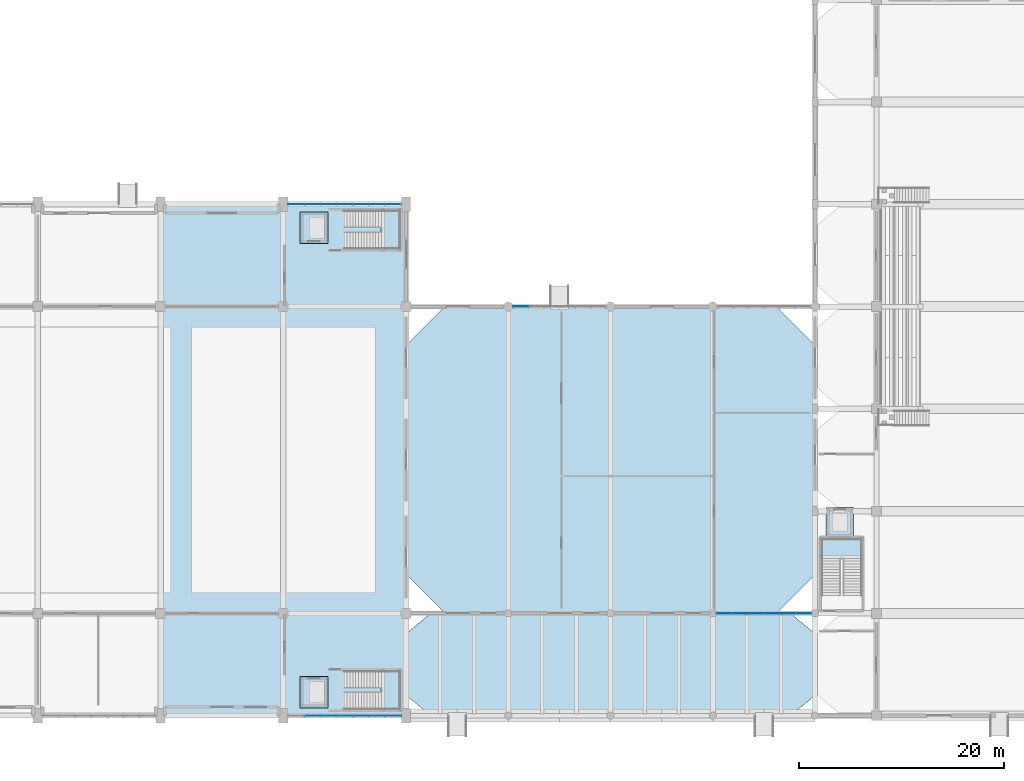
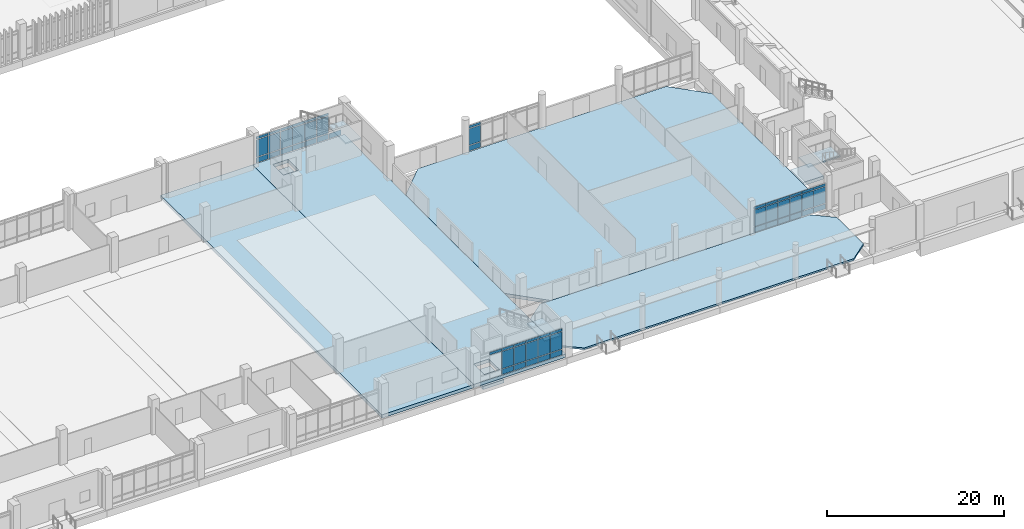
# One storey, part 62 of 87: 56 plates, 10 slabs, 7 elements without a shape of their own.
"""IFC4 building model written with IfcOpenShell, lengths in metres."""

from ifc_helpers import new_model, si_unit, direction, frame, origin, origin_2d, place, context, subcontext, project, spatial, polyline, rectangle, outline, extrude, material, layer, layer_set, type_object, element, aggregate, save


model = new_model("IFC4")

# Units and contexts
model_context = context("Model", 3, precision=1e-05, world=origin(), true_north=direction((0.0, 1.0)))
body_context = subcontext(model_context, "Body", "Model", "MODEL_VIEW")
ifc_project = project(units=[si_unit("LENGTHUNIT", "METRE"), si_unit("AREAUNIT", "SQUARE_METRE"), si_unit("VOLUMEUNIT", "CUBIC_METRE"), si_unit("PLANEANGLEUNIT", "RADIAN"), si_unit("MASSUNIT", "GRAM", prefix="KILO")], contexts=[model_context])

# Site, building, storey
site_placement = place(None, origin())
site = spatial("IfcSite", under=ifc_project, at=site_placement, CompositionType="ELEMENT")
building_placement = place(site_placement, origin())
building = spatial("IfcBuilding", under=site, at=building_placement, Name="Mersad Railyard Sports Hall", CompositionType="ELEMENT")
storey_placement = place(building_placement, origin())
storey = spatial("IfcBuildingStorey", under=building, at=storey_placement, Name="L00", CompositionType="ELEMENT", Elevation=0.0)

# Curtain wall, plates
ifc_material_1 = material(Name="Aluminium 6063-T6", Category="aluminium")
ifc_layer_1 = layer(ifc_material_1, 0.199951171875)
ifc_layer_set_1 = layer_set([ifc_layer_1], Name="Aluminium 6063-T6")
curtain_wall_type_1 = type_object("IfcCurtainWallType", Name="ARC-CW-CW01", PredefinedType="USERDEFINED", material=ifc_layer_set_1)
curtain_wall_1_placement = place(storey_placement, origin())
curtain_wall_1 = element("IfcCurtainWall", 1, at=curtain_wall_1_placement, inside=storey, type_object=curtain_wall_type_1, Name="Curtain wall CW01-0019", ObjectType="CURTAIN WALL", PredefinedType="USERDEFINED")
ifc_material_2 = material(Name="Solar-control glass", Category="glass")
ifc_layer_2 = layer(ifc_material_2, 0.028076171875)
ifc_layer_set_2 = layer_set([ifc_layer_2], Name="Solar-control glass")
plate_type = type_object("IfcPlateType", Name="ARC-CW-PNL01", PredefinedType="CURTAIN_PANEL", material=ifc_layer_set_2)
plate_1_placement = place(storey_placement, frame((89.739990234375, 3.5, 0.0849609375), z_axis=(0.0, 0.0, 1.0), x_axis=(-1.0, 0.0, 0.0)))
plate_1 = element("IfcPlate", 2, at=plate_1_placement, type_object=plate_type, Name="CW01 Glazed panel 1-1", PredefinedType="CURTAIN_PANEL", context=body_context, shape_type="SweptSolid", body=[
    extrude(rectangle(XDim=1.535888671875, YDim=0.028076171875, at=origin_2d()), origin(), (0.0, 0.0, 1.0), 0.719970703125),
])
plate_2_placement = place(storey_placement, frame((89.739990234375, 3.5, 0.89501953125), z_axis=(0.0, 0.0, 1.0), x_axis=(-1.0, 0.0, 0.0)))
plate_2 = element("IfcPlate", 3, at=plate_2_placement, type_object=plate_type, Name="CW01 Glazed panel 1-2", PredefinedType="CURTAIN_PANEL", context=body_context, shape_type="SweptSolid", body=[
    extrude(rectangle(XDim=1.535888671875, YDim=0.028076171875, at=origin_2d()), origin(), (0.0, 0.0, 1.0), 2.360107421875),
])
plate_3_placement = place(storey_placement, frame((89.739990234375, 3.5, 3.344970703125), z_axis=(0.0, 0.0, 1.0), x_axis=(-1.0, 0.0, 0.0)))
plate_3 = element("IfcPlate", 4, at=plate_3_placement, type_object=plate_type, Name="CW01 Glazed panel 1-3", PredefinedType="CURTAIN_PANEL", context=body_context, shape_type="SweptSolid", body=[
    extrude(rectangle(XDim=1.535888671875, YDim=0.028076171875, at=origin_2d()), origin(), (0.0, 0.0, 1.0), 0.35009765625),
])
plate_4_placement = place(storey_placement, frame((88.159912109375, 3.5, 0.0849609375), z_axis=(0.0, 0.0, 1.0), x_axis=(-1.0, 0.0, 0.0)))
plate_4 = element("IfcPlate", 5, at=plate_4_placement, type_object=plate_type, Name="CW01 Glazed panel 2-1", PredefinedType="CURTAIN_PANEL", context=body_context, shape_type="SweptSolid", body=[
    extrude(rectangle(XDim=1.535888671875, YDim=0.028076171875, at=origin_2d()), origin(), (0.0, 0.0, 1.0), 0.719970703125),
])
plate_5_placement = place(storey_placement, frame((88.159912109375, 3.5, 0.89501953125), z_axis=(0.0, 0.0, 1.0), x_axis=(-1.0, 0.0, 0.0)))
plate_5 = element("IfcPlate", 6, at=plate_5_placement, type_object=plate_type, Name="CW01 Glazed panel 2-2", PredefinedType="CURTAIN_PANEL", context=body_context, shape_type="SweptSolid", body=[
    extrude(rectangle(XDim=1.535888671875, YDim=0.028076171875, at=origin_2d()), origin(), (0.0, 0.0, 1.0), 2.360107421875),
])
plate_6_placement = place(storey_placement, frame((88.159912109375, 3.5, 3.344970703125), z_axis=(0.0, 0.0, 1.0), x_axis=(-1.0, 0.0, 0.0)))
plate_6 = element("IfcPlate", 7, at=plate_6_placement, type_object=plate_type, Name="CW01 Glazed panel 2-3", PredefinedType="CURTAIN_PANEL", context=body_context, shape_type="SweptSolid", body=[
    extrude(rectangle(XDim=1.535888671875, YDim=0.028076171875, at=origin_2d()), origin(), (0.0, 0.0, 1.0), 0.35009765625),
])
plate_7_placement = place(storey_placement, frame((86.580078125, 3.5, 0.0849609375), z_axis=(0.0, 0.0, 1.0), x_axis=(-1.0, 0.0, 0.0)))
plate_7 = element("IfcPlate", 8, at=plate_7_placement, type_object=plate_type, Name="CW01 Glazed panel 3-1", PredefinedType="CURTAIN_PANEL", context=body_context, shape_type="SweptSolid", body=[
    extrude(rectangle(XDim=1.535888671875, YDim=0.028076171875, at=origin_2d()), origin(), (0.0, 0.0, 1.0), 0.719970703125),
])
plate_8_placement = place(storey_placement, frame((86.580078125, 3.5, 0.89501953125), z_axis=(0.0, 0.0, 1.0), x_axis=(-1.0, 0.0, 0.0)))
plate_8 = element("IfcPlate", 9, at=plate_8_placement, type_object=plate_type, Name="CW01 Glazed panel 3-2", PredefinedType="CURTAIN_PANEL", context=body_context, shape_type="SweptSolid", body=[
    extrude(rectangle(XDim=1.535888671875, YDim=0.028076171875, at=origin_2d()), origin(), (0.0, 0.0, 1.0), 2.360107421875),
])
plate_9_placement = place(storey_placement, frame((86.580078125, 3.5, 3.344970703125), z_axis=(0.0, 0.0, 1.0), x_axis=(-1.0, 0.0, 0.0)))
plate_9 = element("IfcPlate", 10, at=plate_9_placement, type_object=plate_type, Name="CW01 Glazed panel 3-3", PredefinedType="CURTAIN_PANEL", context=body_context, shape_type="SweptSolid", body=[
    extrude(rectangle(XDim=1.535888671875, YDim=0.028076171875, at=origin_2d()), origin(), (0.0, 0.0, 1.0), 0.35009765625),
])
plate_10_placement = place(storey_placement, frame((85.0, 3.5, 0.0849609375), z_axis=(0.0, 0.0, 1.0), x_axis=(-1.0, 0.0, 0.0)))
plate_10 = element("IfcPlate", 11, at=plate_10_placement, type_object=plate_type, Name="CW01 Glazed panel 4-1", PredefinedType="CURTAIN_PANEL", context=body_context, shape_type="SweptSolid", body=[
    extrude(rectangle(XDim=1.535888671875, YDim=0.028076171875, at=origin_2d()), origin(), (0.0, 0.0, 1.0), 0.719970703125),
])
plate_11_placement = place(storey_placement, frame((85.0, 3.5, 0.89501953125), z_axis=(0.0, 0.0, 1.0), x_axis=(-1.0, 0.0, 0.0)))
plate_11 = element("IfcPlate", 12, at=plate_11_placement, type_object=plate_type, Name="CW01 Glazed panel 4-2", PredefinedType="CURTAIN_PANEL", context=body_context, shape_type="SweptSolid", body=[
    extrude(rectangle(XDim=1.535888671875, YDim=0.028076171875, at=origin_2d()), origin(), (0.0, 0.0, 1.0), 2.360107421875),
])
plate_12_placement = place(storey_placement, frame((85.0, 3.5, 3.344970703125), z_axis=(0.0, 0.0, 1.0), x_axis=(-1.0, 0.0, 0.0)))
plate_12 = element("IfcPlate", 13, at=plate_12_placement, type_object=plate_type, Name="CW01 Glazed panel 4-3", PredefinedType="CURTAIN_PANEL", context=body_context, shape_type="SweptSolid", body=[
    extrude(rectangle(XDim=1.535888671875, YDim=0.028076171875, at=origin_2d()), origin(), (0.0, 0.0, 1.0), 0.35009765625),
])
plate_13_placement = place(storey_placement, frame((83.419921875, 3.5, 0.0849609375), z_axis=(0.0, 0.0, 1.0), x_axis=(-1.0, 0.0, 0.0)))
plate_13 = element("IfcPlate", 14, at=plate_13_placement, type_object=plate_type, Name="CW01 Glazed panel 5-1", PredefinedType="CURTAIN_PANEL", context=body_context, shape_type="SweptSolid", body=[
    extrude(rectangle(XDim=1.535888671875, YDim=0.028076171875, at=origin_2d()), origin(), (0.0, 0.0, 1.0), 0.719970703125),
])
plate_14_placement = place(storey_placement, frame((83.419921875, 3.5, 0.89501953125), z_axis=(0.0, 0.0, 1.0), x_axis=(-1.0, 0.0, 0.0)))
plate_14 = element("IfcPlate", 15, at=plate_14_placement, type_object=plate_type, Name="CW01 Glazed panel 5-2", PredefinedType="CURTAIN_PANEL", context=body_context, shape_type="SweptSolid", body=[
    extrude(rectangle(XDim=1.535888671875, YDim=0.028076171875, at=origin_2d()), origin(), (0.0, 0.0, 1.0), 2.360107421875),
])
plate_15_placement = place(storey_placement, frame((83.419921875, 3.5, 3.344970703125), z_axis=(0.0, 0.0, 1.0), x_axis=(-1.0, 0.0, 0.0)))
plate_15 = element("IfcPlate", 16, at=plate_15_placement, type_object=plate_type, Name="CW01 Glazed panel 5-3", PredefinedType="CURTAIN_PANEL", context=body_context, shape_type="SweptSolid", body=[
    extrude(rectangle(XDim=1.535888671875, YDim=0.028076171875, at=origin_2d()), origin(), (0.0, 0.0, 1.0), 0.35009765625),
])
plate_16_placement = place(storey_placement, frame((81.840087890625, 3.5, 3.344970703125), z_axis=(0.0, 0.0, 1.0), x_axis=(-1.0, 0.0, 0.0)))
plate_16 = element("IfcPlate", 17, at=plate_16_placement, type_object=plate_type, Name="CW01 Glazed panel 6-3", PredefinedType="CURTAIN_PANEL", context=body_context, shape_type="SweptSolid", body=[
    extrude(rectangle(XDim=1.535888671875, YDim=0.028076171875, at=origin_2d()), origin(), (0.0, 0.0, 1.0), 0.35009765625),
])
aggregate(curtain_wall_1, [plate_1, plate_2, plate_3, plate_4, plate_5, plate_6, plate_7, plate_8, plate_9, plate_10, plate_11, plate_12, plate_13, plate_14, plate_15, plate_16])

curtain_wall_2_placement = place(storey_placement, origin())
curtain_wall_2 = element("IfcCurtainWall", 18, at=curtain_wall_2_placement, inside=storey, type_object=curtain_wall_type_1, Name="Curtain wall CW01-0021", ObjectType="CURTAIN WALL", PredefinedType="USERDEFINED")
plate_17_placement = place(storey_placement, frame((80.260009765625, 53.5, 0.0849609375), z_axis=(0.0, 0.0, 1.0), x_axis=(1.0, 0.0, 0.0)))
plate_17 = element("IfcPlate", 19, at=plate_17_placement, type_object=plate_type, Name="CW01 Glazed panel 1-1", PredefinedType="CURTAIN_PANEL", context=body_context, shape_type="SweptSolid", body=[
    extrude(rectangle(XDim=1.535888671875, YDim=0.028076171875, at=origin_2d()), origin(), (0.0, 0.0, 1.0), 0.719970703125),
])
plate_18_placement = place(storey_placement, frame((80.260009765625, 53.5, 0.89501953125), z_axis=(0.0, 0.0, 1.0), x_axis=(1.0, 0.0, 0.0)))
plate_18 = element("IfcPlate", 20, at=plate_18_placement, type_object=plate_type, Name="CW01 Glazed panel 1-2", PredefinedType="CURTAIN_PANEL", context=body_context, shape_type="SweptSolid", body=[
    extrude(rectangle(XDim=1.535888671875, YDim=0.028076171875, at=origin_2d()), origin(), (0.0, 0.0, 1.0), 2.360107421875),
])
plate_19_placement = place(storey_placement, frame((80.260009765625, 53.5, 3.344970703125), z_axis=(0.0, 0.0, 1.0), x_axis=(1.0, 0.0, 0.0)))
plate_19 = element("IfcPlate", 21, at=plate_19_placement, type_object=plate_type, Name="CW01 Glazed panel 1-3", PredefinedType="CURTAIN_PANEL", context=body_context, shape_type="SweptSolid", body=[
    extrude(rectangle(XDim=1.535888671875, YDim=0.028076171875, at=origin_2d()), origin(), (0.0, 0.0, 1.0), 0.35009765625),
])
plate_20_placement = place(storey_placement, frame((81.840087890625, 53.5, 0.0849609375), z_axis=(0.0, 0.0, 1.0), x_axis=(1.0, 0.0, 0.0)))
plate_20 = element("IfcPlate", 22, at=plate_20_placement, type_object=plate_type, Name="CW01 Glazed panel 2-1", PredefinedType="CURTAIN_PANEL", context=body_context, shape_type="SweptSolid", body=[
    extrude(rectangle(XDim=1.535888671875, YDim=0.028076171875, at=origin_2d()), origin(), (0.0, 0.0, 1.0), 0.719970703125),
])
plate_21_placement = place(storey_placement, frame((81.840087890625, 53.5, 0.89501953125), z_axis=(0.0, 0.0, 1.0), x_axis=(1.0, 0.0, 0.0)))
plate_21 = element("IfcPlate", 23, at=plate_21_placement, type_object=plate_type, Name="CW01 Glazed panel 2-2", PredefinedType="CURTAIN_PANEL", context=body_context, shape_type="SweptSolid", body=[
    extrude(rectangle(XDim=1.535888671875, YDim=0.028076171875, at=origin_2d()), origin(), (0.0, 0.0, 1.0), 2.360107421875),
])
plate_22_placement = place(storey_placement, frame((81.840087890625, 53.5, 3.344970703125), z_axis=(0.0, 0.0, 1.0), x_axis=(1.0, 0.0, 0.0)))
plate_22 = element("IfcPlate", 24, at=plate_22_placement, type_object=plate_type, Name="CW01 Glazed panel 2-3", PredefinedType="CURTAIN_PANEL", context=body_context, shape_type="SweptSolid", body=[
    extrude(rectangle(XDim=1.535888671875, YDim=0.028076171875, at=origin_2d()), origin(), (0.0, 0.0, 1.0), 0.35009765625),
])
plate_23_placement = place(storey_placement, frame((83.419921875, 53.5, 0.0849609375), z_axis=(0.0, 0.0, 1.0), x_axis=(1.0, 0.0, 0.0)))
plate_23 = element("IfcPlate", 25, at=plate_23_placement, type_object=plate_type, Name="CW01 Glazed panel 3-1", PredefinedType="CURTAIN_PANEL", context=body_context, shape_type="SweptSolid", body=[
    extrude(rectangle(XDim=1.535888671875, YDim=0.028076171875, at=origin_2d()), origin(), (0.0, 0.0, 1.0), 0.719970703125),
])
plate_24_placement = place(storey_placement, frame((83.419921875, 53.5, 0.89501953125), z_axis=(0.0, 0.0, 1.0), x_axis=(1.0, 0.0, 0.0)))
plate_24 = element("IfcPlate", 26, at=plate_24_placement, type_object=plate_type, Name="CW01 Glazed panel 3-2", PredefinedType="CURTAIN_PANEL", context=body_context, shape_type="SweptSolid", body=[
    extrude(rectangle(XDim=1.535888671875, YDim=0.028076171875, at=origin_2d()), origin(), (0.0, 0.0, 1.0), 2.360107421875),
])
plate_25_placement = place(storey_placement, frame((83.419921875, 53.5, 3.344970703125), z_axis=(0.0, 0.0, 1.0), x_axis=(1.0, 0.0, 0.0)))
plate_25 = element("IfcPlate", 27, at=plate_25_placement, type_object=plate_type, Name="CW01 Glazed panel 3-3", PredefinedType="CURTAIN_PANEL", context=body_context, shape_type="SweptSolid", body=[
    extrude(rectangle(XDim=1.535888671875, YDim=0.028076171875, at=origin_2d()), origin(), (0.0, 0.0, 1.0), 0.35009765625),
])
plate_26_placement = place(storey_placement, frame((85.0, 53.5, 0.0849609375), z_axis=(0.0, 0.0, 1.0), x_axis=(1.0, 0.0, 0.0)))
plate_26 = element("IfcPlate", 28, at=plate_26_placement, type_object=plate_type, Name="CW01 Glazed panel 4-1", PredefinedType="CURTAIN_PANEL", context=body_context, shape_type="SweptSolid", body=[
    extrude(rectangle(XDim=1.535888671875, YDim=0.028076171875, at=origin_2d()), origin(), (0.0, 0.0, 1.0), 0.719970703125),
])
plate_27_placement = place(storey_placement, frame((85.0, 53.5, 0.89501953125), z_axis=(0.0, 0.0, 1.0), x_axis=(1.0, 0.0, 0.0)))
plate_27 = element("IfcPlate", 29, at=plate_27_placement, type_object=plate_type, Name="CW01 Glazed panel 4-2", PredefinedType="CURTAIN_PANEL", context=body_context, shape_type="SweptSolid", body=[
    extrude(rectangle(XDim=1.535888671875, YDim=0.028076171875, at=origin_2d()), origin(), (0.0, 0.0, 1.0), 2.360107421875),
])
plate_28_placement = place(storey_placement, frame((85.0, 53.5, 3.344970703125), z_axis=(0.0, 0.0, 1.0), x_axis=(1.0, 0.0, 0.0)))
plate_28 = element("IfcPlate", 30, at=plate_28_placement, type_object=plate_type, Name="CW01 Glazed panel 4-3", PredefinedType="CURTAIN_PANEL", context=body_context, shape_type="SweptSolid", body=[
    extrude(rectangle(XDim=1.535888671875, YDim=0.028076171875, at=origin_2d()), origin(), (0.0, 0.0, 1.0), 0.35009765625),
])
plate_29_placement = place(storey_placement, frame((86.580078125, 53.5, 0.0849609375), z_axis=(0.0, 0.0, 1.0), x_axis=(1.0, 0.0, 0.0)))
plate_29 = element("IfcPlate", 31, at=plate_29_placement, type_object=plate_type, Name="CW01 Glazed panel 5-1", PredefinedType="CURTAIN_PANEL", context=body_context, shape_type="SweptSolid", body=[
    extrude(rectangle(XDim=1.535888671875, YDim=0.028076171875, at=origin_2d()), origin(), (0.0, 0.0, 1.0), 0.719970703125),
])
plate_30_placement = place(storey_placement, frame((86.580078125, 53.5, 0.89501953125), z_axis=(0.0, 0.0, 1.0), x_axis=(1.0, 0.0, 0.0)))
plate_30 = element("IfcPlate", 32, at=plate_30_placement, type_object=plate_type, Name="CW01 Glazed panel 5-2", PredefinedType="CURTAIN_PANEL", context=body_context, shape_type="SweptSolid", body=[
    extrude(rectangle(XDim=1.535888671875, YDim=0.028076171875, at=origin_2d()), origin(), (0.0, 0.0, 1.0), 2.360107421875),
])
plate_31_placement = place(storey_placement, frame((86.580078125, 53.5, 3.344970703125), z_axis=(0.0, 0.0, 1.0), x_axis=(1.0, 0.0, 0.0)))
plate_31 = element("IfcPlate", 33, at=plate_31_placement, type_object=plate_type, Name="CW01 Glazed panel 5-3", PredefinedType="CURTAIN_PANEL", context=body_context, shape_type="SweptSolid", body=[
    extrude(rectangle(XDim=1.535888671875, YDim=0.028076171875, at=origin_2d()), origin(), (0.0, 0.0, 1.0), 0.35009765625),
])
plate_32_placement = place(storey_placement, frame((88.159912109375, 53.5, 0.0849609375), z_axis=(0.0, 0.0, 1.0), x_axis=(1.0, 0.0, 0.0)))
plate_32 = element("IfcPlate", 34, at=plate_32_placement, type_object=plate_type, Name="CW01 Glazed panel 6-1", PredefinedType="CURTAIN_PANEL", context=body_context, shape_type="SweptSolid", body=[
    extrude(rectangle(XDim=1.535888671875, YDim=0.028076171875, at=origin_2d()), origin(), (0.0, 0.0, 1.0), 0.719970703125),
])
plate_33_placement = place(storey_placement, frame((88.159912109375, 53.5, 0.89501953125), z_axis=(0.0, 0.0, 1.0), x_axis=(1.0, 0.0, 0.0)))
plate_33 = element("IfcPlate", 35, at=plate_33_placement, type_object=plate_type, Name="CW01 Glazed panel 6-2", PredefinedType="CURTAIN_PANEL", context=body_context, shape_type="SweptSolid", body=[
    extrude(rectangle(XDim=1.535888671875, YDim=0.028076171875, at=origin_2d()), origin(), (0.0, 0.0, 1.0), 2.360107421875),
])
plate_34_placement = place(storey_placement, frame((88.159912109375, 53.5, 3.344970703125), z_axis=(0.0, 0.0, 1.0), x_axis=(1.0, 0.0, 0.0)))
plate_34 = element("IfcPlate", 36, at=plate_34_placement, type_object=plate_type, Name="CW01 Glazed panel 6-3", PredefinedType="CURTAIN_PANEL", context=body_context, shape_type="SweptSolid", body=[
    extrude(rectangle(XDim=1.535888671875, YDim=0.028076171875, at=origin_2d()), origin(), (0.0, 0.0, 1.0), 0.35009765625),
])
plate_35_placement = place(storey_placement, frame((89.739990234375, 53.5, 0.0849609375), z_axis=(0.0, 0.0, 1.0), x_axis=(1.0, 0.0, 0.0)))
plate_35 = element("IfcPlate", 37, at=plate_35_placement, type_object=plate_type, Name="CW01 Glazed panel 7-1", PredefinedType="CURTAIN_PANEL", context=body_context, shape_type="SweptSolid", body=[
    extrude(rectangle(XDim=1.535888671875, YDim=0.028076171875, at=origin_2d()), origin(), (0.0, 0.0, 1.0), 0.719970703125),
])
aggregate(curtain_wall_2, [plate_17, plate_18, plate_19, plate_20, plate_21, plate_22, plate_23, plate_24, plate_25, plate_26, plate_27, plate_28, plate_29, plate_30, plate_31, plate_32, plate_33, plate_34, plate_35])

ifc_layer_3 = layer(ifc_material_1, 0.199951171875)
ifc_layer_set_3 = layer_set([ifc_layer_3], Name="Aluminium 6063-T6")
curtain_wall_type_2 = type_object("IfcCurtainWallType", Name="ARC-CW-CW07", PredefinedType="USERDEFINED", material=ifc_layer_set_3)
curtain_wall_3_placement = place(storey_placement, origin())
curtain_wall_3 = element("IfcCurtainWall", 38, at=curtain_wall_3_placement, inside=storey, type_object=curtain_wall_type_2, Name="Curtain wall CW07-0033", ObjectType="CURTAIN WALL", PredefinedType="USERDEFINED")
plate_36_placement = place(storey_placement, frame((102.22509765625, 43.5, 0.0849609375), z_axis=(0.0, 0.0, 1.0), x_axis=(1.0, 0.0, 0.0)))
plate_36 = element("IfcPlate", 39, at=plate_36_placement, type_object=plate_type, Name="CW07 Glazed panel 1-1", PredefinedType="CURTAIN_PANEL", context=body_context, shape_type="SweptSolid", body=[
    extrude(rectangle(XDim=1.466064453125, YDim=0.028076171875, at=origin_2d()), origin(), (0.0, 0.0, 1.0), 0.719970703125),
])
plate_37_placement = place(storey_placement, frame((102.22509765625, 43.5, 0.89501953125), z_axis=(0.0, 0.0, 1.0), x_axis=(1.0, 0.0, 0.0)))
plate_37 = element("IfcPlate", 40, at=plate_37_placement, type_object=plate_type, Name="CW07 Glazed panel 1-2", PredefinedType="CURTAIN_PANEL", context=body_context, shape_type="SweptSolid", body=[
    extrude(rectangle(XDim=1.466064453125, YDim=0.028076171875, at=origin_2d()), origin(), (0.0, 0.0, 1.0), 2.260009765625),
])
plate_38_placement = place(storey_placement, frame((102.22509765625, 43.5, 3.244873046875), z_axis=(0.0, 0.0, 1.0), x_axis=(1.0, 0.0, 0.0)))
plate_38 = element("IfcPlate", 41, at=plate_38_placement, type_object=plate_type, Name="CW07 Glazed panel 1-3", PredefinedType="CURTAIN_PANEL", context=body_context, shape_type="SweptSolid", body=[
    extrude(rectangle(XDim=1.466064453125, YDim=0.028076171875, at=origin_2d()), origin(), (0.0, 0.0, 1.0), 0.35009765625),
])
aggregate(curtain_wall_3, [plate_36, plate_37, plate_38])

ifc_layer_4 = layer(ifc_material_1, 0.159912109375)
ifc_layer_set_4 = layer_set([ifc_layer_4], Name="Aluminium 6063-T6")
curtain_wall_type_3 = type_object("IfcCurtainWallType", Name="ARC-CW-CW08", PredefinedType="USERDEFINED", material=ifc_layer_set_4)
curtain_wall_4_placement = place(storey_placement, origin())
curtain_wall_4 = element("IfcCurtainWall", 42, at=curtain_wall_4_placement, inside=storey, type_object=curtain_wall_type_3, Name="Curtain wall CW08-0034", ObjectType="CURTAIN WALL", PredefinedType="USERDEFINED")
plate_39_placement = place(storey_placement, frame((129.879150390625, 13.5, 0.0849609375), z_axis=(0.0, 0.0, 1.0), x_axis=(-1.0, 0.0, 0.0)))
plate_39 = element("IfcPlate", 43, at=plate_39_placement, type_object=plate_type, Name="CW08 Glazed panel 1-1", PredefinedType="CURTAIN_PANEL", context=body_context, shape_type="SweptSolid", body=[
    extrude(rectangle(XDim=1.507568359375, YDim=0.028076171875, at=origin_2d()), origin(), (0.0, 0.0, 1.0), 0.719970703125),
])
plate_40_placement = place(storey_placement, frame((129.879150390625, 13.5, 0.89501953125), z_axis=(0.0, 0.0, 1.0), x_axis=(-1.0, 0.0, 0.0)))
plate_40 = element("IfcPlate", 44, at=plate_40_placement, type_object=plate_type, Name="CW08 Glazed panel 1-2", PredefinedType="CURTAIN_PANEL", context=body_context, shape_type="SweptSolid", body=[
    extrude(rectangle(XDim=1.507568359375, YDim=0.028076171875, at=origin_2d()), origin(), (0.0, 0.0, 1.0), 2.260009765625),
])
plate_41_placement = place(storey_placement, frame((129.879150390625, 13.5, 3.244873046875), z_axis=(0.0, 0.0, 1.0), x_axis=(-1.0, 0.0, 0.0)))
plate_41 = element("IfcPlate", 45, at=plate_41_placement, type_object=plate_type, Name="CW08 Glazed panel 1-3", PredefinedType="CURTAIN_PANEL", context=body_context, shape_type="SweptSolid", body=[
    extrude(rectangle(XDim=1.507568359375, YDim=0.028076171875, at=origin_2d()), origin(), (0.0, 0.0, 1.0), 0.35009765625),
])
plate_42_placement = place(storey_placement, frame((128.327392578125, 13.5, 0.0849609375), z_axis=(0.0, 0.0, 1.0), x_axis=(-1.0, 0.0, 0.0)))
plate_42 = element("IfcPlate", 46, at=plate_42_placement, type_object=plate_type, Name="CW08 Glazed panel 2-1", PredefinedType="CURTAIN_PANEL", context=body_context, shape_type="SweptSolid", body=[
    extrude(rectangle(XDim=1.507568359375, YDim=0.028076171875, at=origin_2d()), origin(), (0.0, 0.0, 1.0), 0.719970703125),
])
plate_43_placement = place(storey_placement, frame((128.327392578125, 13.5, 0.89501953125), z_axis=(0.0, 0.0, 1.0), x_axis=(-1.0, 0.0, 0.0)))
plate_43 = element("IfcPlate", 47, at=plate_43_placement, type_object=plate_type, Name="CW08 Glazed panel 2-2", PredefinedType="CURTAIN_PANEL", context=body_context, shape_type="SweptSolid", body=[
    extrude(rectangle(XDim=1.507568359375, YDim=0.028076171875, at=origin_2d()), origin(), (0.0, 0.0, 1.0), 2.260009765625),
])
plate_44_placement = place(storey_placement, frame((128.327392578125, 13.5, 3.244873046875), z_axis=(0.0, 0.0, 1.0), x_axis=(-1.0, 0.0, 0.0)))
plate_44 = element("IfcPlate", 48, at=plate_44_placement, type_object=plate_type, Name="CW08 Glazed panel 2-3", PredefinedType="CURTAIN_PANEL", context=body_context, shape_type="SweptSolid", body=[
    extrude(rectangle(XDim=1.507568359375, YDim=0.028076171875, at=origin_2d()), origin(), (0.0, 0.0, 1.0), 0.35009765625),
])
plate_45_placement = place(storey_placement, frame((126.77587890625, 13.5, 0.0849609375), z_axis=(0.0, 0.0, 1.0), x_axis=(-1.0, 0.0, 0.0)))
plate_45 = element("IfcPlate", 49, at=plate_45_placement, type_object=plate_type, Name="CW08 Glazed panel 3-1", PredefinedType="CURTAIN_PANEL", context=body_context, shape_type="SweptSolid", body=[
    extrude(rectangle(XDim=1.507568359375, YDim=0.028076171875, at=origin_2d()), origin(), (0.0, 0.0, 1.0), 0.719970703125),
])
plate_46_placement = place(storey_placement, frame((126.77587890625, 13.5, 0.89501953125), z_axis=(0.0, 0.0, 1.0), x_axis=(-1.0, 0.0, 0.0)))
plate_46 = element("IfcPlate", 50, at=plate_46_placement, type_object=plate_type, Name="CW08 Glazed panel 3-2", PredefinedType="CURTAIN_PANEL", context=body_context, shape_type="SweptSolid", body=[
    extrude(rectangle(XDim=1.507568359375, YDim=0.028076171875, at=origin_2d()), origin(), (0.0, 0.0, 1.0), 2.260009765625),
])
plate_47_placement = place(storey_placement, frame((126.77587890625, 13.5, 3.244873046875), z_axis=(0.0, 0.0, 1.0), x_axis=(-1.0, 0.0, 0.0)))
plate_47 = element("IfcPlate", 51, at=plate_47_placement, type_object=plate_type, Name="CW08 Glazed panel 3-3", PredefinedType="CURTAIN_PANEL", context=body_context, shape_type="SweptSolid", body=[
    extrude(rectangle(XDim=1.507568359375, YDim=0.028076171875, at=origin_2d()), origin(), (0.0, 0.0, 1.0), 0.35009765625),
])
plate_48_placement = place(storey_placement, frame((125.22412109375, 13.5, 0.0849609375), z_axis=(0.0, 0.0, 1.0), x_axis=(-1.0, 0.0, 0.0)))
plate_48 = element("IfcPlate", 52, at=plate_48_placement, type_object=plate_type, Name="CW08 Glazed panel 4-1", PredefinedType="CURTAIN_PANEL", context=body_context, shape_type="SweptSolid", body=[
    extrude(rectangle(XDim=1.507568359375, YDim=0.028076171875, at=origin_2d()), origin(), (0.0, 0.0, 1.0), 0.719970703125),
])
plate_49_placement = place(storey_placement, frame((125.22412109375, 13.5, 0.89501953125), z_axis=(0.0, 0.0, 1.0), x_axis=(-1.0, 0.0, 0.0)))
plate_49 = element("IfcPlate", 53, at=plate_49_placement, type_object=plate_type, Name="CW08 Glazed panel 4-2", PredefinedType="CURTAIN_PANEL", context=body_context, shape_type="SweptSolid", body=[
    extrude(rectangle(XDim=1.507568359375, YDim=0.028076171875, at=origin_2d()), origin(), (0.0, 0.0, 1.0), 2.260009765625),
])
plate_50_placement = place(storey_placement, frame((125.22412109375, 13.5, 3.244873046875), z_axis=(0.0, 0.0, 1.0), x_axis=(-1.0, 0.0, 0.0)))
plate_50 = element("IfcPlate", 54, at=plate_50_placement, type_object=plate_type, Name="CW08 Glazed panel 4-3", PredefinedType="CURTAIN_PANEL", context=body_context, shape_type="SweptSolid", body=[
    extrude(rectangle(XDim=1.507568359375, YDim=0.028076171875, at=origin_2d()), origin(), (0.0, 0.0, 1.0), 0.35009765625),
])
plate_51_placement = place(storey_placement, frame((123.672607421875, 13.5, 0.0849609375), z_axis=(0.0, 0.0, 1.0), x_axis=(-1.0, 0.0, 0.0)))
plate_51 = element("IfcPlate", 55, at=plate_51_placement, type_object=plate_type, Name="CW08 Glazed panel 5-1", PredefinedType="CURTAIN_PANEL", context=body_context, shape_type="SweptSolid", body=[
    extrude(rectangle(XDim=1.507568359375, YDim=0.028076171875, at=origin_2d()), origin(), (0.0, 0.0, 1.0), 0.719970703125),
])
plate_52_placement = place(storey_placement, frame((123.672607421875, 13.5, 0.89501953125), z_axis=(0.0, 0.0, 1.0), x_axis=(-1.0, 0.0, 0.0)))
plate_52 = element("IfcPlate", 56, at=plate_52_placement, type_object=plate_type, Name="CW08 Glazed panel 5-2", PredefinedType="CURTAIN_PANEL", context=body_context, shape_type="SweptSolid", body=[
    extrude(rectangle(XDim=1.507568359375, YDim=0.028076171875, at=origin_2d()), origin(), (0.0, 0.0, 1.0), 2.260009765625),
])
plate_53_placement = place(storey_placement, frame((123.672607421875, 13.5, 3.244873046875), z_axis=(0.0, 0.0, 1.0), x_axis=(-1.0, 0.0, 0.0)))
plate_53 = element("IfcPlate", 57, at=plate_53_placement, type_object=plate_type, Name="CW08 Glazed panel 5-3", PredefinedType="CURTAIN_PANEL", context=body_context, shape_type="SweptSolid", body=[
    extrude(rectangle(XDim=1.507568359375, YDim=0.028076171875, at=origin_2d()), origin(), (0.0, 0.0, 1.0), 0.35009765625),
])
plate_54_placement = place(storey_placement, frame((122.120849609375, 13.5, 0.0849609375), z_axis=(0.0, 0.0, 1.0), x_axis=(-1.0, 0.0, 0.0)))
plate_54 = element("IfcPlate", 58, at=plate_54_placement, type_object=plate_type, Name="CW08 Glazed panel 6-1", PredefinedType="CURTAIN_PANEL", context=body_context, shape_type="SweptSolid", body=[
    extrude(rectangle(XDim=1.507568359375, YDim=0.028076171875, at=origin_2d()), origin(), (0.0, 0.0, 1.0), 0.719970703125),
])
plate_55_placement = place(storey_placement, frame((122.120849609375, 13.5, 0.89501953125), z_axis=(0.0, 0.0, 1.0), x_axis=(-1.0, 0.0, 0.0)))
plate_55 = element("IfcPlate", 59, at=plate_55_placement, type_object=plate_type, Name="CW08 Glazed panel 6-2", PredefinedType="CURTAIN_PANEL", context=body_context, shape_type="SweptSolid", body=[
    extrude(rectangle(XDim=1.507568359375, YDim=0.028076171875, at=origin_2d()), origin(), (0.0, 0.0, 1.0), 2.260009765625),
])
plate_56_placement = place(storey_placement, frame((122.120849609375, 13.5, 3.244873046875), z_axis=(0.0, 0.0, 1.0), x_axis=(-1.0, 0.0, 0.0)))
plate_56 = element("IfcPlate", 60, at=plate_56_placement, type_object=plate_type, Name="CW08 Glazed panel 6-3", PredefinedType="CURTAIN_PANEL", context=body_context, shape_type="SweptSolid", body=[
    extrude(rectangle(XDim=1.507568359375, YDim=0.028076171875, at=origin_2d()), origin(), (0.0, 0.0, 1.0), 0.35009765625),
])
aggregate(curtain_wall_4, [plate_39, plate_40, plate_41, plate_42, plate_43, plate_44, plate_45, plate_46, plate_47, plate_48, plate_49, plate_50, plate_51, plate_52, plate_53, plate_54, plate_55, plate_56])

# Slabs
ifc_material_3 = material(Name="Concrete C40/50", Category="concrete")
ifc_layer_5 = layer(ifc_material_3, 0.449951171875)
ifc_layer_set_5 = layer_set([ifc_layer_5], Name="Concrete C40/50")
slab_type_1 = type_object("IfcSlabType", Name="STR-SL-BS02", PredefinedType="BASESLAB", material=ifc_layer_set_5)
slab_1_placement = place(storey_placement, frame((0.0, 0.0, -0.449951171875)))
element("IfcSlab", 61, at=slab_1_placement, inside=storey, type_object=slab_type_1, Name="Slab BS02-0015", PredefinedType="BASESLAB", context=body_context, shape_type="SweptSolid", body=[
    extrude(outline(polyline([(67.0, 3.5), (79.0, 3.5), (79.0, 53.5), (67.0, 53.5), (67.0, 3.5)])), origin(), (0.0, 0.0, 1.0), 0.449951171875),
])
slab_2_placement = place(storey_placement, frame((0.0, 0.0, -0.449951171875)))
element("IfcSlab", 62, at=slab_2_placement, inside=storey, type_object=slab_type_1, Name="Slab BS02-0016", PredefinedType="BASESLAB", context=body_context, shape_type="SweptSolid", body=[
    extrude(outline(polyline([(79.0, 3.5), (91.0, 3.5), (91.0, 53.5), (79.0, 53.5), (79.0, 3.5)]), holes=[polyline([(81.0, 4.60009765625), (83.0, 4.60009765625), (83.0, 7.0), (81.0, 7.0), (81.0, 4.60009765625)]), polyline([(81.0, 50.0), (83.0, 50.0), (83.0, 52.39990234375), (81.0, 52.39990234375), (81.0, 50.0)])]), origin(), (0.0, 0.0, 1.0), 0.449951171875),
])
slab_3_placement = place(storey_placement, frame((0.0, 0.0, -0.449951171875)))
element("IfcSlab", 63, at=slab_3_placement, inside=storey, type_object=slab_type_1, Name="Slab BS02-0017", PredefinedType="BASESLAB", context=body_context, shape_type="SweptSolid", body=[
    extrude(outline(polyline([(94.800048828125, 13.5), (127.199951171875, 13.5), (131.0, 17.300048828125), (131.0, 39.699951171875), (127.199951171875, 43.5), (94.800048828125, 43.5), (91.0, 39.699951171875), (91.0, 17.300048828125), (94.800048828125, 13.5)])), origin(), (0.0, 0.0, 1.0), 0.449951171875),
])
slab_4_placement = place(storey_placement, frame((0.0, 0.0, -1.75)))
element("IfcSlab", 64, at=slab_4_placement, inside=storey, type_object=slab_type_1, Name="Lift PL-05 shaft pit base", PredefinedType="BASESLAB", context=body_context, shape_type="SweptSolid", body=[
    extrude(outline(polyline([(132.074951171875, 20.949951171875), (134.72509765625, 20.949951171875), (134.72509765625, 23.85009765625), (132.074951171875, 23.85009765625), (132.074951171875, 20.949951171875)])), origin(), (0.0, 0.0, 1.0), 0.449951171875),
])
slab_5_placement = place(storey_placement, frame((0.0, 0.0, -1.75)))
element("IfcSlab", 65, at=slab_5_placement, inside=storey, type_object=slab_type_1, Name="Lift PL-08 shaft pit base", PredefinedType="BASESLAB", context=body_context, shape_type="SweptSolid", body=[
    extrude(outline(polyline([(80.64990234375, 4.25), (83.35009765625, 4.25), (83.35009765625, 7.35009765625), (80.64990234375, 7.35009765625), (80.64990234375, 4.25)])), origin(), (0.0, 0.0, 1.0), 0.449951171875),
])
slab_6_placement = place(storey_placement, frame((0.0, 0.0, -1.75)))
element("IfcSlab", 66, at=slab_6_placement, inside=storey, type_object=slab_type_1, Name="Lift PL-10 shaft pit base", PredefinedType="BASESLAB", context=body_context, shape_type="SweptSolid", body=[
    extrude(outline(polyline([(80.64990234375, 49.64990234375), (83.35009765625, 49.64990234375), (83.35009765625, 52.75), (80.64990234375, 52.75), (80.64990234375, 49.64990234375)])), origin(), (0.0, 0.0, 1.0), 0.449951171875),
])

# Stair, slab
stair_type_1 = type_object("IfcStairType", Name="ARC-ST-ST06A", PredefinedType="HALF_TURN_STAIR", material=ifc_material_3)
stair_1_placement = place(storey_placement, origin())
stair_1 = element("IfcStair", 67, at=stair_1_placement, inside=storey, type_object=stair_type_1, Name="SE Pavilion Pitch Stair L00-L01", PredefinedType="HALF_TURN_STAIR")
ifc_layer_6 = layer(ifc_material_3, 0.179931640625)
ifc_layer_set_6 = layer_set([ifc_layer_6], Name="Concrete C40/50")
slab_type_2 = type_object("IfcSlabType", Name="STR-SL-LD01", PredefinedType="LANDING", material=ifc_layer_set_6)
slab_7_placement = place(storey_placement, frame((0.0, 0.0, 2.219970703125)))
slab_7 = element("IfcSlab", 68, at=slab_7_placement, type_object=slab_type_2, Name="SE Pavilion Pitch Stair L00-L01 Half Landing", PredefinedType="LANDING", context=body_context, shape_type="SweptSolid", body=[
    extrude(outline(polyline([(88.530029296875, 3.97998046875), (90.570068359375, 3.97998046875), (90.570068359375, 8.02001953125), (88.530029296875, 8.02001953125), (88.530029296875, 3.97998046875)])), origin(), (0.0, 0.0, 1.0), 0.179931640625),
])
aggregate(stair_1, [slab_7])

stair_type_2 = type_object("IfcStairType", Name="ARC-ST-ST08A", PredefinedType="HALF_TURN_STAIR", material=ifc_material_3)
stair_2_placement = place(storey_placement, origin())
stair_2 = element("IfcStair", 69, at=stair_2_placement, inside=storey, type_object=stair_type_2, Name="NE Pavilion Pitch Stair L00-L01", PredefinedType="HALF_TURN_STAIR")
slab_8_placement = place(storey_placement, frame((0.0, 0.0, 2.219970703125)))
slab_8 = element("IfcSlab", 70, at=slab_8_placement, type_object=slab_type_2, Name="NE Pavilion Pitch Stair L00-L01 Half Landing", PredefinedType="LANDING", context=body_context, shape_type="SweptSolid", body=[
    extrude(outline(polyline([(88.530029296875, 48.97998046875), (90.570068359375, 48.97998046875), (90.570068359375, 53.02001953125), (88.530029296875, 53.02001953125), (88.530029296875, 48.97998046875)])), origin(), (0.0, 0.0, 1.0), 0.179931640625),
])
aggregate(stair_2, [slab_8])

stair_type_3 = type_object("IfcStairType", Name="ARC-ST-ST09A", PredefinedType="HALF_TURN_STAIR", material=ifc_material_3)
stair_3_placement = place(storey_placement, origin())
stair_3 = element("IfcStair", 71, at=stair_3_placement, inside=storey, type_object=stair_type_3, Name="Show Court West Exit Stair L00-L01", PredefinedType="HALF_TURN_STAIR")
slab_9_placement = place(storey_placement, frame((0.0, 0.0, 2.219970703125)))
slab_9 = element("IfcSlab", 72, at=slab_9_placement, type_object=slab_type_2, Name="Show Court West Exit Stair L00-L01 Half Landing", PredefinedType="LANDING", context=body_context, shape_type="SweptSolid", body=[
    extrude(outline(polyline([(131.47998046875, 18.830078125), (135.719970703125, 18.830078125), (135.719970703125, 20.969970703125), (131.47998046875, 20.969970703125), (131.47998046875, 18.830078125)])), origin(), (0.0, 0.0, 1.0), 0.179931640625),
])
aggregate(stair_3, [slab_9])

# Slab
ifc_layer_7 = layer(ifc_material_3, 0.239990234375)
ifc_layer_set_7 = layer_set([ifc_layer_7], Name="Concrete C40/50")
slab_type_3 = type_object("IfcSlabType", Name="STR-SL-TR01", PredefinedType="FLOOR", material=ifc_layer_set_7)
slab_10_placement = place(storey_placement, frame((0.0, 0.0, -0.239990234375)))
element("IfcSlab", 73, at=slab_10_placement, inside=storey, type_object=slab_type_3, Name="Slab TR01-0018", PredefinedType="FLOOR", context=body_context, shape_type="SweptSolid", body=[
    extrude(outline(polyline([(93.39990234375, 3.5), (128.60009765625, 3.5), (131.0, 5.5), (131.0, 11.5), (128.60009765625, 13.5), (93.39990234375, 13.5), (91.0, 11.5), (91.0, 5.5), (93.39990234375, 3.5)])), origin(), (0.0, 0.0, 1.0), 0.239990234375),
])

save(model, "model.ifc")
